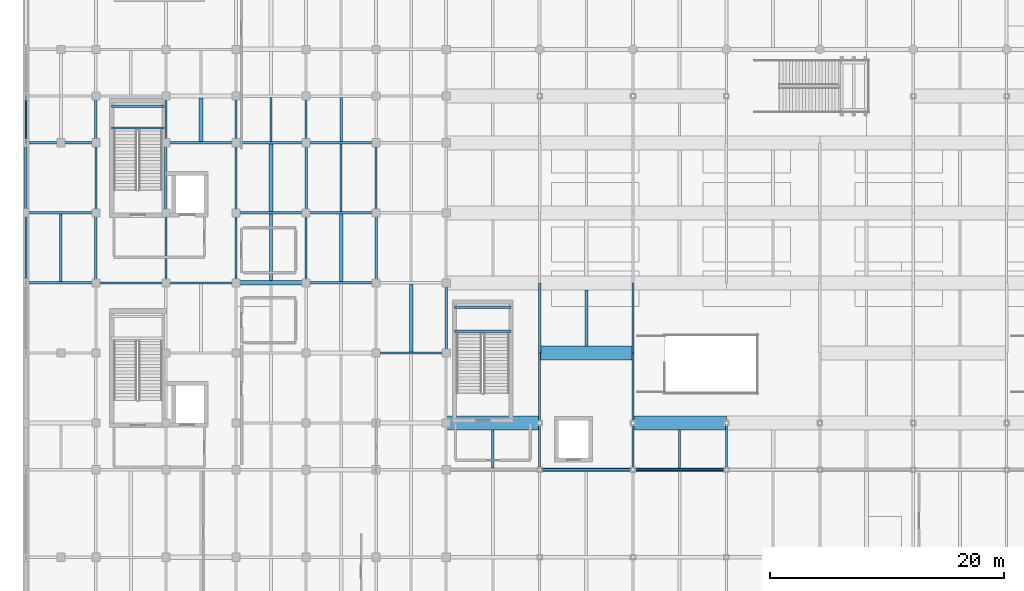
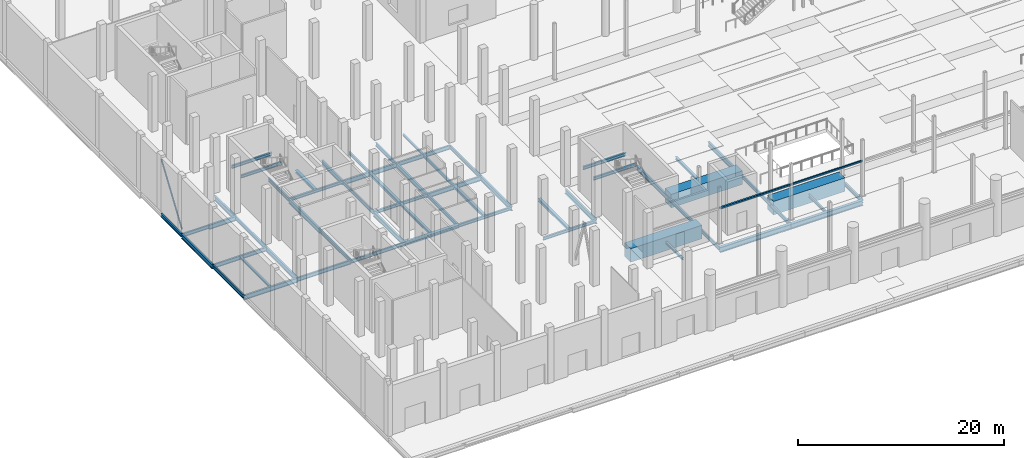
# One storey, part 22 of 140: 62 beams, 1 member.
"""IFC4 building model written with IfcOpenShell, lengths in metres."""

import ifcopenshell
import ifcopenshell.guid

model = None  # the IFC model being written
_history = None  # IfcOwnerHistory: only IFC2X3 demands one
_inside = {}  # id of a spatial element -> (the spatial element, [elements in it])
_under = {}  # id of a project, library or spatial element -> (it, [spatial elements below it])
_declared = {}  # id of a project -> (the project, [libraries it declares])
_typed = {}  # id of a type object -> (the type object, [elements of that type])
_made_of = {}  # id of a material, layer set ... -> (it, [elements and type objects made of it])


def new_model(schema):
    """Start an empty IFC model of exactly this schema.

    Asked for "IFC4X3", IfcOpenShell would pick the latest addendum, in which some entities
    have other attributes; the version numbers below select the first issue.
    IFC2X3 requires an IfcOwnerHistory on every rooted entity: one is made here for all.
    """
    global model, _history
    if schema == "IFC4X3":
        model = ifcopenshell.file(schema_version=(4, 3, 0, 0))
    else:
        model = ifcopenshell.file(schema=schema)
    _inside.clear()
    _under.clear()
    _declared.clear()
    _typed.clear()
    _made_of.clear()
    _history = None
    if model.schema == "IFC2X3":
        org = make("IfcOrganization", Name="unknown")
        user = make(
            "IfcPersonAndOrganization",
            ThePerson=make("IfcPerson", FamilyName="unknown"),
            TheOrganization=org,
        )
        app = make(
            "IfcApplication",
            ApplicationDeveloper=org,
            Version="unknown",
            ApplicationFullName="unknown",
            ApplicationIdentifier="unknown",
        )
        _history = make(
            "IfcOwnerHistory",
            OwningUser=user,
            OwningApplication=app,
            ChangeAction="ADDED",
            CreationDate=0,
        )
    return model


def make(cls, **values):
    """One entity of the class cls with the attributes given. An attribute that is None is left unset."""
    return model.create_entity(
        cls, **{name: value for name, value in values.items() if value is not None}
    )


def rooted(cls, **values):
    """An entity with a GlobalId (a new one), such as an element, a storey or a relation."""
    return make(cls, GlobalId=ifcopenshell.guid.new(), OwnerHistory=_history, **values)


def si_unit(unit_type, name, prefix=None):
    """IfcSIUnit, for example si_unit("LENGTHUNIT", "METRE", prefix="MILLI")."""
    return make("IfcSIUnit", UnitType=unit_type, Prefix=prefix, Name=name)


def assignment(units):
    """IfcUnitAssignment: the units of a project."""
    return None if units is None else make("IfcUnitAssignment", Units=units)


def point(xyz):
    """IfcCartesianPoint."""
    return None if xyz is None else make("IfcCartesianPoint", Coordinates=xyz)


def direction(xyz):
    """IfcDirection."""
    return None if xyz is None else make("IfcDirection", DirectionRatios=xyz)


def frame(location, z_axis=None, x_axis=None):
    """IfcAxis2Placement3D, a coordinate frame: its origin and axes. An axis left out is left unset."""
    return make(
        "IfcAxis2Placement3D",
        Location=point(location),
        Axis=direction(z_axis),
        RefDirection=direction(x_axis),
    )


def frame_2d(location, x_axis=None):
    """IfcAxis2Placement2D, a coordinate frame in the plane: its origin and x axis."""
    return make(
        "IfcAxis2Placement2D", Location=point(location), RefDirection=direction(x_axis)
    )


def origin():
    """The frame at (0, 0, 0) with its axes left unset."""
    return frame((0.0, 0.0, 0.0))


def origin_2d():
    """The frame at (0, 0) in the plane with its x axis left unset."""
    return frame_2d((0.0, 0.0))


def place(relative_to, where):
    """IfcLocalPlacement: puts the frame where relative to a parent placement (None: the world)."""
    return make(
        "IfcLocalPlacement", PlacementRelTo=relative_to, RelativePlacement=where
    )


def context(
    kind, dimensions, precision=None, world=None, true_north=None, identifier=None
):
    """IfcGeometricRepresentationContext, for example the 3D "Model" context."""
    return make(
        "IfcGeometricRepresentationContext",
        ContextIdentifier=identifier,
        ContextType=kind,
        CoordinateSpaceDimension=dimensions,
        Precision=precision,
        WorldCoordinateSystem=world,
        TrueNorth=true_north,
    )


def subcontext(parent, identifier, kind, view, scale=None):
    """IfcGeometricRepresentationSubContext, for example "Body" below "Model"."""
    return make(
        "IfcGeometricRepresentationSubContext",
        ContextIdentifier=identifier,
        ContextType=kind,
        ParentContext=parent,
        TargetScale=scale,
        TargetView=view,
    )


def project(units=None, contexts=None):
    """IfcProject with its units and contexts."""
    return rooted(
        "IfcProject",
        Name="project",
        RepresentationContexts=contexts,
        UnitsInContext=assignment(units),
    )


def spatial(cls, under=None, at=None, **own):
    """A site, building, storey or space (cls), placed at a placement, below another one or the project."""
    s = rooted(cls, ObjectPlacement=at, **own)
    if under is not None:
        _under.setdefault(under.id(), (under, []))[1].append(s)
    return s


def profile(cls, at=None, kind="AREA", **sizes):
    """A parametric profile (cls). Its sizes go by their IFC names, for example OverallWidth=200.0."""
    return make(cls, ProfileType=kind, Position=at, **sizes)


def rectangle(**sizes):
    """IfcRectangleProfileDef."""
    return profile("IfcRectangleProfileDef", **sizes)


def hollow_rectangle(**sizes):
    """IfcRectangleHollowProfileDef."""
    return profile("IfcRectangleHollowProfileDef", **sizes)


def hollow_circle(**sizes):
    """IfcCircleHollowProfileDef."""
    return profile("IfcCircleHollowProfileDef", **sizes)


def i_section(**sizes):
    """IfcIShapeProfileDef."""
    return profile("IfcIShapeProfileDef", **sizes)


def extrude(swept, where, along, depth):
    """IfcExtrudedAreaSolid: the profile swept, set in the frame where, extruded along a direction by depth."""
    return make(
        "IfcExtrudedAreaSolid",
        SweptArea=swept,
        Position=where,
        ExtrudedDirection=direction(along),
        Depth=depth,
    )


def shape(context_of_items, identifier, shape_type, items):
    """IfcShapeRepresentation: the items that make up one representation, for example the "Body"."""
    return make(
        "IfcShapeRepresentation",
        ContextOfItems=context_of_items,
        RepresentationIdentifier=identifier,
        RepresentationType=shape_type,
        Items=items,
    )


def material(Name=None, Category=None):
    """IfcMaterial."""
    return make("IfcMaterial", Name=Name, Category=Category)


def material_profile(
    of_material, cross_section, Name=None, Category=None, Priority=None
):
    """IfcMaterialProfile: a cross section and its material."""
    return make(
        "IfcMaterialProfile",
        Name=Name,
        Material=of_material,
        Profile=cross_section,
        Priority=Priority,
        Category=Category,
    )


def profile_set(profiles, Name=None, composite=None):
    """IfcMaterialProfileSet."""
    return make(
        "IfcMaterialProfileSet",
        Name=Name,
        MaterialProfiles=profiles,
        CompositeProfile=composite,
    )


def made_of(thing, what):
    """Note that an element or type object is made of a material, layer set ...; save() writes the relation."""
    if what is not None:
        _made_of.setdefault(what.id(), (what, []))[1].append(thing)
    return thing


def type_object(cls, material=None, **own):
    """A type object (cls), such as IfcWallType, which elements share."""
    return made_of(rooted(cls, **own), material)


def element(
    cls,
    number,
    at=None,
    inside=None,
    cuts=None,
    type_object=None,
    material=None,
    context=None,
    identifier="Body",
    shape_type=None,
    held_by="IfcProductDefinitionShape",
    body=None,
    shapes=None,
    **own,
):
    """One element of the class cls, such as IfcWall. Its Tag is "e" and its number.

    at: its placement. inside: the storey or other place that contains it. cuts: it is an
    opening in that element (IfcRelVoidsElement). A single representation is given by context,
    identifier, shape_type and body (its items); several are given by shapes. held_by: the class
    of the entity that holds the representations. save() writes the other relations.
    """
    e = rooted(cls, Tag="e%d" % number, ObjectPlacement=at, **own)
    if body is not None:
        shapes = [shape(context, identifier, shape_type, body)]
    if shapes is not None:
        e.Representation = make(held_by, Representations=shapes)
    if inside is not None:
        _inside.setdefault(inside.id(), (inside, []))[1].append(e)
    if cuts is not None:
        rooted(
            "IfcRelVoidsElement", RelatingBuildingElement=cuts, RelatedOpeningElement=e
        )
    if type_object is not None:
        _typed.setdefault(type_object.id(), (type_object, []))[1].append(e)
    return made_of(e, material)


def aggregate(whole, parts):
    """IfcRelAggregates: a whole, such as a stair, and the parts it consists of."""
    return rooted("IfcRelAggregates", RelatingObject=whole, RelatedObjects=parts)


def save(model, path):
    """Write the relations noted so far, then the file.

    IfcRelAggregates (storeys below a building ...), IfcRelContainedInSpatialStructure (elements
    in a storey), IfcRelDefinesByType, IfcRelAssociatesMaterial and IfcRelDeclares: one each for
    every whole, place, type object, material and project.
    """
    for whole, parts in _under.values():
        aggregate(whole, parts)
    for where, things in _inside.values():
        rooted(
            "IfcRelContainedInSpatialStructure",
            RelatedElements=things,
            RelatingStructure=where,
        )
    for kind, things in _typed.values():
        rooted("IfcRelDefinesByType", RelatedObjects=things, RelatingType=kind)
    for what, things in _made_of.values():
        rooted("IfcRelAssociatesMaterial", RelatedObjects=things, RelatingMaterial=what)
    for by, libraries in _declared.values():
        rooted("IfcRelDeclares", RelatingContext=by, RelatedDefinitions=libraries)
    model.write(path)


model = new_model("IFC4")

# Units and contexts
model_context = context("Model", 3, precision=1e-05, world=origin(), true_north=direction((0.0, 1.0)))
body_context = subcontext(model_context, "Body", "Model", "MODEL_VIEW")
ifc_project = project(units=[si_unit("LENGTHUNIT", "METRE"), si_unit("AREAUNIT", "SQUARE_METRE"), si_unit("VOLUMEUNIT", "CUBIC_METRE"), si_unit("PLANEANGLEUNIT", "RADIAN"), si_unit("MASSUNIT", "GRAM", prefix="KILO")], contexts=[model_context])

# Site, building, storey
site_placement = place(None, origin())
site = spatial("IfcSite", under=ifc_project, at=site_placement, CompositionType="ELEMENT")
building_placement = place(site_placement, origin())
building = spatial("IfcBuilding", under=site, at=building_placement, Name="Verrall Gate Interchange", CompositionType="ELEMENT")
storey_placement = place(building_placement, origin())
storey = spatial("IfcBuildingStorey", under=building, at=storey_placement, Name="L01", CompositionType="ELEMENT", Elevation=0.0)

# Beams
ifc_material_1 = material(Name="Structural Steel CSA G40.21 350WT Cat 4", Category="steel")
ifc_material_profile_1 = material_profile(ifc_material_1, i_section(OverallWidth=0.323974609375, OverallDepth=0.611083984375, WebThickness=0.0126953125, FlangeThickness=0.01904296875, FilletRadius=0.014892578125, at=origin_2d()), Name="W610x155")
ifc_profile_set_1 = profile_set([ifc_material_profile_1], Name="Structural Steel CSA G40.21 350WT Cat 4")
beam_type_1 = type_object("IfcBeamType", Name="B-08 Structural Beam W610x155", PredefinedType="BEAM", material=ifc_profile_set_1)
for number, where, z_axis, x_axis, name in (
    (1, (44.0, 12.0, -0.805419921875), (1.0, 0.0, 0.0), (0.0, 1.0, 0.0), "L01 Girder BM-L01-0771 (B-08)"),
    (2, (52.0, 12.0, -0.805419921875), (1.0, 0.0, 0.0), (0.0, 1.0, 0.0), "L01 Girder BM-L01-0772 (B-08)"),
):
    element("IfcBeam", number, at=place(storey_placement, frame(where, z_axis=z_axis, x_axis=x_axis)), inside=storey, type_object=beam_type_1, Name=name, PredefinedType="BEAM", context=body_context, shape_type="SweptSolid", body=[
        extrude(i_section(OverallWidth=0.323974609375, OverallDepth=0.611083984375, WebThickness=0.0126953125, FlangeThickness=0.01904296875, FilletRadius=0.014892578125, at=origin_2d()), origin(), (0.0, 0.0, 1.0), 8.0),
    ])
ifc_material_2 = material(Name="Structural Steel CSA G40.21 350W", Category="steel")
ifc_material_profile_2 = material_profile(ifc_material_2, i_section(OverallWidth=0.2109375, OverallDepth=0.5390625, WebThickness=0.01171875, FlangeThickness=0.018798828125, FilletRadius=0.013916015625, at=origin_2d()), Name="W530x109")
ifc_profile_set_2 = profile_set([ifc_material_profile_2], Name="Structural Steel CSA G40.21 350W")
beam_type_2 = type_object("IfcBeamType", Name="B-10 Structural Beam W530x109", PredefinedType="BEAM", material=ifc_profile_set_2)
for number, where, z_axis, x_axis, name in (
    (3, (0.0, 28.0, -0.76953125), (1.0, 0.0, 0.0), (0.0, 1.0, 0.0), "L01 Girder BM-L01-0825 (B-10)"),
    (4, (24.0, 34.0, -0.76953125), (1.0, 0.0, 0.0), (0.0, 1.0, 0.0), "L01 Girder BM-L01-0849 (B-10)"),
):
    element("IfcBeam", number, at=place(storey_placement, frame(where, z_axis=z_axis, x_axis=x_axis)), inside=storey, type_object=beam_type_2, Name=name, PredefinedType="BEAM", context=body_context, shape_type="SweptSolid", body=[
        extrude(i_section(OverallWidth=0.2109375, OverallDepth=0.5390625, WebThickness=0.01171875, FlangeThickness=0.018798828125, FilletRadius=0.013916015625, at=origin_2d()), origin(), (0.0, 0.0, 1.0), 6.0),
    ])
beam_1_placement = place(storey_placement, frame((3.0, 40.0, -0.76953125), z_axis=(1.0, 0.0, 0.0), x_axis=(0.0, 1.0, 0.0)))
element("IfcBeam", 5, at=beam_1_placement, inside=storey, type_object=beam_type_2, Name="L01 Girder BM-L01-0868 (B-10)", PredefinedType="BEAM", context=body_context, shape_type="SweptSolid", body=[
    extrude(i_section(OverallWidth=0.2109375, OverallDepth=0.5390625, WebThickness=0.01171875, FlangeThickness=0.018798828125, FilletRadius=0.013916015625, at=origin_2d()), origin(), (0.0, 0.0, 1.0), 3.0),
])
for number, where, z_axis, x_axis, name in (
    (6, (18.0, 40.0, -0.76953125), (1.0, 0.0, 0.0), (0.0, 1.0, 0.0), "L01 Girder BM-L01-0870 (B-10)"),
    (7, (0.0, 34.0, -0.76953125), (0.0, 1.0, 0.0), (-1.0, 0.0, 0.0), "L01 Girder BM-L01-0987 (B-10)"),
    (8, (6.0, 28.0, -0.76953125), (0.0, 1.0, 0.0), (-1.0, 0.0, 0.0), "L01 Girder BM-L01-1002 (B-10)"),
):
    element("IfcBeam", number, at=place(storey_placement, frame(where, z_axis=z_axis, x_axis=x_axis)), inside=storey, type_object=beam_type_2, Name=name, PredefinedType="BEAM", context=body_context, shape_type="SweptSolid", body=[
        extrude(i_section(OverallWidth=0.2109375, OverallDepth=0.5390625, WebThickness=0.01171875, FlangeThickness=0.018798828125, FilletRadius=0.013916015625, at=origin_2d()), origin(), (0.0, 0.0, 1.0), 6.0),
    ])
beam_2_placement = place(storey_placement, frame((6.0, 40.0, -0.76953125), z_axis=(0.0, 1.0, 0.0), x_axis=(-1.0, 0.0, 0.0)))
element("IfcBeam", 9, at=beam_2_placement, inside=storey, type_object=beam_type_2, Name="L01 Girder BM-L01-1004 (B-10)", PredefinedType="BEAM", context=body_context, shape_type="SweptSolid", body=[
    extrude(i_section(OverallWidth=0.2109375, OverallDepth=0.5390625, WebThickness=0.01171875, FlangeThickness=0.018798828125, FilletRadius=0.013916015625, at=origin_2d()), origin(), (0.0, 0.0, 1.0), 4.0),
])
for number, where, z_axis, x_axis, name in (
    (10, (12.0, 34.0, -0.76953125), (0.0, 1.0, 0.0), (-1.0, 0.0, 0.0), "L01 Girder BM-L01-1018 (B-10)"),
    (11, (18.0, 28.0, -0.76953125), (0.0, 1.0, 0.0), (-1.0, 0.0, 0.0), "L01 Girder BM-L01-1032 (B-10)"),
):
    element("IfcBeam", number, at=place(storey_placement, frame(where, z_axis=z_axis, x_axis=x_axis)), inside=storey, type_object=beam_type_2, Name=name, PredefinedType="BEAM", context=body_context, shape_type="SweptSolid", body=[
        extrude(i_section(OverallWidth=0.2109375, OverallDepth=0.5390625, WebThickness=0.01171875, FlangeThickness=0.018798828125, FilletRadius=0.013916015625, at=origin_2d()), origin(), (0.0, 0.0, 1.0), 6.0),
    ])
beam_3_placement = place(storey_placement, frame((18.0, 40.0, -0.76953125), z_axis=(0.0, 1.0, 0.0), x_axis=(-1.0, 0.0, 0.0)))
element("IfcBeam", 12, at=beam_3_placement, inside=storey, type_object=beam_type_2, Name="L01 Girder BM-L01-1034 (B-10)", PredefinedType="BEAM", context=body_context, shape_type="SweptSolid", body=[
    extrude(i_section(OverallWidth=0.2109375, OverallDepth=0.5390625, WebThickness=0.01171875, FlangeThickness=0.018798828125, FilletRadius=0.013916015625, at=origin_2d()), origin(), (0.0, 0.0, 1.0), 4.0),
])
for number, where, z_axis, x_axis, name in (
    (13, (24.0, 34.0, -0.76953125), (0.0, 1.0, 0.0), (-1.0, 0.0, 0.0), "L01 Girder BM-L01-1048 (B-10)"),
    (14, (30.0, 28.0, -0.76953125), (0.0, 1.0, 0.0), (-1.0, 0.0, 0.0), "L01 Girder BM-L01-1062 (B-10)"),
    (15, (36.0, 22.0, -0.76953125), (0.0, 1.0, 0.0), (-1.0, 0.0, 0.0), "L01 Girder BM-L01-1076 (B-10)"),
    (16, (44.0, 22.0, -0.76953125), (0.0, 1.0, 0.0), (-1.0, 0.0, 0.0), "L01 Girder BM-L01-1091 (B-10)"),
    (17, (52.0, 22.0, -0.76953125), (0.0, 1.0, 0.0), (-1.0, 0.0, 0.0), "L01 Girder BM-L01-1102 (B-10)"),
):
    element("IfcBeam", number, at=place(storey_placement, frame(where, z_axis=z_axis, x_axis=x_axis)), inside=storey, type_object=beam_type_2, Name=name, PredefinedType="BEAM", context=body_context, shape_type="SweptSolid", body=[
        extrude(i_section(OverallWidth=0.2109375, OverallDepth=0.5390625, WebThickness=0.01171875, FlangeThickness=0.018798828125, FilletRadius=0.013916015625, at=origin_2d()), origin(), (0.0, 0.0, 1.0), 6.0),
    ])
ifc_material_3 = material(Name="Structural Steel CSA G40.21 350W", Category="steel")
ifc_material_profile_3 = material_profile(ifc_material_3, i_section(OverallWidth=0.19189453125, OverallDepth=0.462890625, WebThickness=0.010498046875, FlangeThickness=0.017578125, FilletRadius=0.012939453125, at=origin_2d()), Name="W460x89")
ifc_profile_set_3 = profile_set([ifc_material_profile_3], Name="Structural Steel CSA G40.21 350W")
beam_type_3 = type_object("IfcBeamType", Name="B-11 Structural Beam W460x89", PredefinedType="BEAM", material=ifc_profile_set_3)
for number, where, z_axis, x_axis, name in (
    (18, (6.0, 28.0, -0.7314453125), (1.0, 0.0, 0.0), (0.0, 1.0, 0.0), "L01 Girder BM-L01-0826 (B-11)"),
    (19, (0.0, 34.0, -0.7314453125), (1.0, 0.0, 0.0), (0.0, 1.0, 0.0), "L01 Girder BM-L01-0847 (B-11)"),
    (20, (24.0, 40.0, -0.7314453125), (1.0, 0.0, 0.0), (0.0, 1.0, 0.0), "L01 Girder BM-L01-0871 (B-11)"),
):
    element("IfcBeam", number, at=place(storey_placement, frame(where, z_axis=z_axis, x_axis=x_axis)), inside=storey, type_object=beam_type_3, Name=name, PredefinedType="BEAM", context=body_context, shape_type="SweptSolid", body=[
        extrude(i_section(OverallWidth=0.19189453125, OverallDepth=0.462890625, WebThickness=0.010498046875, FlangeThickness=0.017578125, FilletRadius=0.012939453125, at=origin_2d()), origin(), (0.0, 0.0, 1.0), 6.0),
    ])
ifc_material_4 = material(Name="Structural Steel CSA G40.21 350W", Category="steel")
ifc_material_profile_4 = material_profile(ifc_material_4, i_section(OverallWidth=0.178955078125, OverallDepth=0.409912109375, WebThickness=0.0087890625, FlangeThickness=0.014404296875, FilletRadius=0.011962890625, at=origin_2d()), Name="W410x67")
ifc_profile_set_4 = profile_set([ifc_material_profile_4], Name="Structural Steel CSA G40.21 350W")
beam_type_4 = type_object("IfcBeamType", Name="B-12 Structural Beam W410x67", PredefinedType="BEAM", material=ifc_profile_set_4)
beam_4_placement = place(storey_placement, frame((12.0, 28.0, -0.705078125), z_axis=(1.0, 0.0, 0.0), x_axis=(0.0, 1.0, 0.0)))
element("IfcBeam", 21, at=beam_4_placement, inside=storey, type_object=beam_type_4, Name="L01 Girder BM-L01-0827 (B-12)", PredefinedType="BEAM", context=body_context, shape_type="SweptSolid", body=[
    extrude(i_section(OverallWidth=0.178955078125, OverallDepth=0.409912109375, WebThickness=0.0087890625, FlangeThickness=0.014404296875, FilletRadius=0.011962890625, at=origin_2d()), origin(), (0.0, 0.0, 1.0), 6.0),
])
beam_5_placement = place(storey_placement, frame((0.0, 40.0, -0.705078125), z_axis=(1.0, 0.0, 0.0), x_axis=(0.0, 1.0, 0.0)))
element("IfcBeam", 22, at=beam_5_placement, inside=storey, type_object=beam_type_4, Name="L01 Girder BM-L01-0867 (B-12)", PredefinedType="BEAM", context=body_context, shape_type="SweptSolid", body=[
    extrude(i_section(OverallWidth=0.178955078125, OverallDepth=0.409912109375, WebThickness=0.0087890625, FlangeThickness=0.014404296875, FilletRadius=0.011962890625, at=origin_2d()), origin(), (0.0, 0.0, 1.0), 3.0),
])
beam_6_placement = place(storey_placement, frame((0.0, 28.0, -0.705078125), z_axis=(0.0, 1.0, 0.0), x_axis=(-1.0, 0.0, 0.0)))
element("IfcBeam", 23, at=beam_6_placement, inside=storey, type_object=beam_type_4, Name="L01 Girder BM-L01-0986 (B-12)", PredefinedType="BEAM", context=body_context, shape_type="SweptSolid", body=[
    extrude(i_section(OverallWidth=0.178955078125, OverallDepth=0.409912109375, WebThickness=0.0087890625, FlangeThickness=0.014404296875, FilletRadius=0.011962890625, at=origin_2d()), origin(), (0.0, 0.0, 1.0), 6.0),
])
beam_7_placement = place(storey_placement, frame((0.0, 40.0, -0.705078125), z_axis=(0.0, 1.0, 0.0), x_axis=(-1.0, 0.0, 0.0)))
element("IfcBeam", 24, at=beam_7_placement, inside=storey, type_object=beam_type_4, Name="L01 Girder BM-L01-0988 (B-12)", PredefinedType="BEAM", context=body_context, shape_type="SweptSolid", body=[
    extrude(i_section(OverallWidth=0.178955078125, OverallDepth=0.409912109375, WebThickness=0.0087890625, FlangeThickness=0.014404296875, FilletRadius=0.011962890625, at=origin_2d()), origin(), (0.0, 0.0, 1.0), 4.0),
])
for number, where, z_axis, x_axis, name in (
    (25, (6.0, 34.0, -0.705078125), (0.0, 1.0, 0.0), (-1.0, 0.0, 0.0), "L01 Girder BM-L01-1003 (B-12)"),
    (26, (12.0, 28.0, -0.705078125), (0.0, 1.0, 0.0), (-1.0, 0.0, 0.0), "L01 Girder BM-L01-1017 (B-12)"),
):
    element("IfcBeam", number, at=place(storey_placement, frame(where, z_axis=z_axis, x_axis=x_axis)), inside=storey, type_object=beam_type_4, Name=name, PredefinedType="BEAM", context=body_context, shape_type="SweptSolid", body=[
        extrude(i_section(OverallWidth=0.178955078125, OverallDepth=0.409912109375, WebThickness=0.0087890625, FlangeThickness=0.014404296875, FilletRadius=0.011962890625, at=origin_2d()), origin(), (0.0, 0.0, 1.0), 6.0),
    ])
beam_8_placement = place(storey_placement, frame((12.0, 40.0, -0.705078125), z_axis=(0.0, 1.0, 0.0), x_axis=(-1.0, 0.0, 0.0)))
element("IfcBeam", 27, at=beam_8_placement, inside=storey, type_object=beam_type_4, Name="L01 Girder BM-L01-1019 (B-12)", PredefinedType="BEAM", context=body_context, shape_type="SweptSolid", body=[
    extrude(i_section(OverallWidth=0.178955078125, OverallDepth=0.409912109375, WebThickness=0.0087890625, FlangeThickness=0.014404296875, FilletRadius=0.011962890625, at=origin_2d()), origin(), (0.0, 0.0, 1.0), 4.0),
])
for number, where, z_axis, x_axis, name in (
    (28, (18.0, 34.0, -0.705078125), (0.0, 1.0, 0.0), (-1.0, 0.0, 0.0), "L01 Girder BM-L01-1033 (B-12)"),
    (29, (24.0, 28.0, -0.705078125), (0.0, 1.0, 0.0), (-1.0, 0.0, 0.0), "L01 Girder BM-L01-1047 (B-12)"),
):
    element("IfcBeam", number, at=place(storey_placement, frame(where, z_axis=z_axis, x_axis=x_axis)), inside=storey, type_object=beam_type_4, Name=name, PredefinedType="BEAM", context=body_context, shape_type="SweptSolid", body=[
        extrude(i_section(OverallWidth=0.178955078125, OverallDepth=0.409912109375, WebThickness=0.0087890625, FlangeThickness=0.014404296875, FilletRadius=0.011962890625, at=origin_2d()), origin(), (0.0, 0.0, 1.0), 6.0),
    ])
beam_9_placement = place(storey_placement, frame((24.0, 40.0, -0.705078125), z_axis=(0.0, 1.0, 0.0), x_axis=(-1.0, 0.0, 0.0)))
element("IfcBeam", 30, at=beam_9_placement, inside=storey, type_object=beam_type_4, Name="L01 Girder BM-L01-1049 (B-12)", PredefinedType="BEAM", context=body_context, shape_type="SweptSolid", body=[
    extrude(i_section(OverallWidth=0.178955078125, OverallDepth=0.409912109375, WebThickness=0.0087890625, FlangeThickness=0.014404296875, FilletRadius=0.011962890625, at=origin_2d()), origin(), (0.0, 0.0, 1.0), 4.0),
])
beam_10_placement = place(storey_placement, frame((30.0, 34.0, -0.705078125), z_axis=(0.0, 1.0, 0.0), x_axis=(-1.0, 0.0, 0.0)))
element("IfcBeam", 31, at=beam_10_placement, inside=storey, type_object=beam_type_4, Name="L01 Girder BM-L01-1063 (B-12)", PredefinedType="BEAM", context=body_context, shape_type="SweptSolid", body=[
    extrude(i_section(OverallWidth=0.178955078125, OverallDepth=0.409912109375, WebThickness=0.0087890625, FlangeThickness=0.014404296875, FilletRadius=0.011962890625, at=origin_2d()), origin(), (0.0, 0.0, 1.0), 6.0),
])
beam_11_placement = place(storey_placement, frame((44.0, 12.0, -0.705078125), z_axis=(0.0, 1.0, 0.0), x_axis=(-1.0, 0.0, 0.0)))
element("IfcBeam", 32, at=beam_11_placement, inside=storey, type_object=beam_type_4, Name="L01 Girder BM-L01-1089 (B-12)", PredefinedType="BEAM", context=body_context, shape_type="SweptSolid", body=[
    extrude(i_section(OverallWidth=0.178955078125, OverallDepth=0.409912109375, WebThickness=0.0087890625, FlangeThickness=0.014404296875, FilletRadius=0.011962890625, at=origin_2d()), origin(), (0.0, 0.0, 1.0), 4.0),
])
beam_12_placement = place(storey_placement, frame((44.0, 16.0, -0.705078125), z_axis=(0.0, 1.0, 0.0), x_axis=(-1.0, 0.0, 0.0)))
element("IfcBeam", 33, at=beam_12_placement, inside=storey, type_object=beam_type_4, Name="L01 Girder BM-L01-1090 (B-12)", PredefinedType="BEAM", context=body_context, shape_type="SweptSolid", body=[
    extrude(i_section(OverallWidth=0.178955078125, OverallDepth=0.409912109375, WebThickness=0.0087890625, FlangeThickness=0.014404296875, FilletRadius=0.011962890625, at=origin_2d()), origin(), (0.0, 0.0, 1.0), 6.0),
])
beam_13_placement = place(storey_placement, frame((52.0, 12.0, -0.705078125), z_axis=(0.0, 1.0, 0.0), x_axis=(-1.0, 0.0, 0.0)))
element("IfcBeam", 34, at=beam_13_placement, inside=storey, type_object=beam_type_4, Name="L01 Girder BM-L01-1100 (B-12)", PredefinedType="BEAM", context=body_context, shape_type="SweptSolid", body=[
    extrude(i_section(OverallWidth=0.178955078125, OverallDepth=0.409912109375, WebThickness=0.0087890625, FlangeThickness=0.014404296875, FilletRadius=0.011962890625, at=origin_2d()), origin(), (0.0, 0.0, 1.0), 4.0),
])
beam_14_placement = place(storey_placement, frame((52.0, 16.0, -0.705078125), z_axis=(0.0, 1.0, 0.0), x_axis=(-1.0, 0.0, 0.0)))
element("IfcBeam", 35, at=beam_14_placement, inside=storey, type_object=beam_type_4, Name="L01 Girder BM-L01-1101 (B-12)", PredefinedType="BEAM", context=body_context, shape_type="SweptSolid", body=[
    extrude(i_section(OverallWidth=0.178955078125, OverallDepth=0.409912109375, WebThickness=0.0087890625, FlangeThickness=0.014404296875, FilletRadius=0.011962890625, at=origin_2d()), origin(), (0.0, 0.0, 1.0), 6.0),
])
beam_15_placement = place(storey_placement, frame((60.0, 12.0, -0.705078125), z_axis=(0.0, 1.0, 0.0), x_axis=(-1.0, 0.0, 0.0)))
element("IfcBeam", 36, at=beam_15_placement, inside=storey, type_object=beam_type_4, Name="L01 Girder BM-L01-1111 (B-12)", PredefinedType="BEAM", context=body_context, shape_type="SweptSolid", body=[
    extrude(i_section(OverallWidth=0.178955078125, OverallDepth=0.409912109375, WebThickness=0.0087890625, FlangeThickness=0.014404296875, FilletRadius=0.011962890625, at=origin_2d()), origin(), (0.0, 0.0, 1.0), 4.0),
])
ifc_material_5 = material(Name="Structural Steel CSA G40.21 350W", Category="steel")
ifc_material_profile_5 = material_profile(ifc_material_5, i_section(OverallWidth=0.368896484375, OverallDepth=0.35595703125, WebThickness=0.01123046875, FlangeThickness=0.01806640625, FilletRadius=0.014892578125, at=origin_2d()), Name="W360x134")
ifc_profile_set_5 = profile_set([ifc_material_profile_5], Name="Structural Steel CSA G40.21 350W")
beam_type_5 = type_object("IfcBeamType", Name="B-13 Structural Beam W360x134", PredefinedType="BEAM", material=ifc_profile_set_5)
beam_16_placement = place(storey_placement, frame((18.0, 28.0, -0.677978515625), z_axis=(1.0, 0.0, 0.0), x_axis=(0.0, 1.0, 0.0)))
element("IfcBeam", 37, at=beam_16_placement, inside=storey, type_object=beam_type_5, Name="L01 Girder BM-L01-0828 (B-13)", PredefinedType="BEAM", context=body_context, shape_type="SweptSolid", body=[
    extrude(i_section(OverallWidth=0.368896484375, OverallDepth=0.35595703125, WebThickness=0.01123046875, FlangeThickness=0.01806640625, FilletRadius=0.014892578125, at=origin_2d()), origin(), (0.0, 0.0, 1.0), 6.0),
])
ifc_material_6 = material(Name="Structural Steel CSA G40.21 350W", Category="steel")
ifc_material_profile_6 = material_profile(ifc_material_6, i_section(OverallWidth=0.205078125, OverallDepth=0.35400390625, WebThickness=0.009521484375, FlangeThickness=0.016845703125, FilletRadius=0.012939453125, at=origin_2d()), Name="W360x79")
ifc_profile_set_6 = profile_set([ifc_material_profile_6], Name="Structural Steel CSA G40.21 350W")
beam_type_6 = type_object("IfcBeamType", Name="B-14 Structural Beam W360x79", PredefinedType="BEAM", material=ifc_profile_set_6)
for number, where, z_axis, x_axis, name in (
    (38, (30.0, 22.0, -0.677001953125), (1.0, 0.0, 0.0), (0.0, 1.0, 0.0), "L01 Girder BM-L01-0813 (B-14)"),
    (39, (24.0, 28.0, -0.677001953125), (1.0, 0.0, 0.0), (0.0, 1.0, 0.0), "L01 Girder BM-L01-0829 (B-14)"),
    (40, (18.0, 34.0, -0.677001953125), (1.0, 0.0, 0.0), (0.0, 1.0, 0.0), "L01 Girder BM-L01-0848 (B-14)"),
    (41, (12.0, 40.0, -0.677001953125), (1.0, 0.0, 0.0), (0.0, 1.0, 0.0), "L01 Girder BM-L01-0869 (B-14)"),
):
    element("IfcBeam", number, at=place(storey_placement, frame(where, z_axis=z_axis, x_axis=x_axis)), inside=storey, type_object=beam_type_6, Name=name, PredefinedType="BEAM", context=body_context, shape_type="SweptSolid", body=[
        extrude(i_section(OverallWidth=0.205078125, OverallDepth=0.35400390625, WebThickness=0.009521484375, FlangeThickness=0.016845703125, FilletRadius=0.012939453125, at=origin_2d()), origin(), (0.0, 0.0, 1.0), 6.0),
    ])
for number, where, z_axis, x_axis, name in (
    (42, (7.35009765625, 41.27001953125, 2.929931640625), (1.0, 0.0, 0.0), (0.0, 1.0, 0.0), "L01 Core C2 Mid-Landing Beam 1"),
    (43, (7.35009765625, 43.1201171875, 2.929931640625), (1.0, 0.0, 0.0), (0.0, 1.0, 0.0), "L01 Core C2 Mid-Landing Beam 2"),
):
    element("IfcBeam", number, at=place(storey_placement, frame(where, z_axis=z_axis, x_axis=x_axis)), inside=storey, type_object=beam_type_6, Name=name, PredefinedType="BEAM", context=body_context, shape_type="SweptSolid", body=[
        extrude(i_section(OverallWidth=0.205078125, OverallDepth=0.35400390625, WebThickness=0.009521484375, FlangeThickness=0.016845703125, FilletRadius=0.012939453125, at=origin_2d()), origin(), (0.0, 0.0, 1.0), 4.5),
    ])
for number, where, z_axis, x_axis, name in (
    (44, (36.72998046875, 23.8701171875, 2.929931640625), (1.0, 0.0, 0.0), (0.0, 1.0, 0.0), "L01 Core C5 Mid-Landing Beam 1"),
    (45, (36.72998046875, 25.919921875, 2.929931640625), (1.0, 0.0, 0.0), (0.0, 1.0, 0.0), "L01 Core C5 Mid-Landing Beam 2"),
):
    element("IfcBeam", number, at=place(storey_placement, frame(where, z_axis=z_axis, x_axis=x_axis)), inside=storey, type_object=beam_type_6, Name=name, PredefinedType="BEAM", context=body_context, shape_type="SweptSolid", body=[
        extrude(i_section(OverallWidth=0.205078125, OverallDepth=0.35400390625, WebThickness=0.009521484375, FlangeThickness=0.016845703125, FilletRadius=0.012939453125, at=origin_2d()), origin(), (0.0, 0.0, 1.0), 4.840087890625),
    ])

# Member
ifc_material_7 = material(Name="Structural Steel CSA G40.21 350W", Category="steel")
ifc_material_profile_7 = material_profile(ifc_material_7, hollow_circle(Radius=0.084228515625, WallThickness=0.00634765625, at=origin_2d()), Name="HSS168x6.4")
ifc_profile_set_7 = profile_set([ifc_material_profile_7], Name="Structural Steel CSA G40.21 350W")
member_type = type_object("IfcMemberType", Name="BR-03 Diagonal Brace HSS168x6.4", PredefinedType="BRACE", material=ifc_profile_set_7)
member_placement = place(storey_placement, frame((0.0, 40.0, 0.0), z_axis=(0.0, 0.56311071105, 0.82638146585), x_axis=(-1.0, 0.0, 0.0)))
element("IfcMember", 46, at=member_placement, inside=storey, type_object=member_type, Name="Chevron Brace CBF3 L01 Leg A", PredefinedType="BRACE", context=body_context, shape_type="SweptSolid", body=[
    extrude(hollow_circle(Radius=0.084228515625, WallThickness=0.00634765625, at=origin_2d()), origin(), (0.0, 0.0, 1.0), 7.103515625),
])

# Beams
ifc_material_8 = material(Name="Structural Steel CSA G40.21 350W", Category="steel")
ifc_material_profile_8 = material_profile(ifc_material_8, i_section(OverallWidth=0.172119140625, OverallDepth=0.35791015625, WebThickness=0.0078125, FlangeThickness=0.01318359375, FilletRadius=0.010986328125, at=origin_2d()), Name="W360x57")
ifc_profile_set_8 = profile_set([ifc_material_profile_8], Name="Structural Steel CSA G40.21 350W")
beam_type_7 = type_object("IfcBeamType", Name="J-01 Floor Joist W360x57", PredefinedType="JOIST", material=ifc_profile_set_8)
beam_17_placement = place(storey_placement, frame((56.0, 12.162109375, -0.678955078125), z_axis=(0.0, 1.0, 0.0), x_axis=(-1.0, 0.0, 0.0)))
element("IfcBeam", 47, at=beam_17_placement, inside=storey, type_object=beam_type_7, Name="L01 Secondary Floor Joist JST-L01-1284", PredefinedType="JOIST", context=body_context, shape_type="SweptSolid", body=[
    extrude(i_section(OverallWidth=0.172119140625, OverallDepth=0.35791015625, WebThickness=0.0078125, FlangeThickness=0.01318359375, FilletRadius=0.010986328125, at=origin_2d()), origin(), (0.0, 0.0, 1.0), 3.23779296875),
])
beam_18_placement = place(storey_placement, frame((27.0, 34.10546875, -0.678955078125), z_axis=(0.0, 1.0, 0.0), x_axis=(-1.0, 0.0, 0.0)))
element("IfcBeam", 48, at=beam_18_placement, inside=storey, type_object=beam_type_7, Name="L01 Secondary Floor Joist JST-L01-1345", PredefinedType="JOIST", context=body_context, shape_type="SweptSolid", body=[
    extrude(i_section(OverallWidth=0.172119140625, OverallDepth=0.35791015625, WebThickness=0.0078125, FlangeThickness=0.01318359375, FilletRadius=0.010986328125, at=origin_2d()), origin(), (0.0, 0.0, 1.0), 5.798583984375),
])
beam_19_placement = place(storey_placement, frame((21.0, 40.10546875, -0.678955078125), z_axis=(0.0, 1.0, 0.0), x_axis=(-1.0, 0.0, 0.0)))
element("IfcBeam", 49, at=beam_19_placement, inside=storey, type_object=beam_type_7, Name="L01 Secondary Floor Joist JST-L01-1363", PredefinedType="JOIST", context=body_context, shape_type="SweptSolid", body=[
    extrude(i_section(OverallWidth=0.172119140625, OverallDepth=0.35791015625, WebThickness=0.0078125, FlangeThickness=0.01318359375, FilletRadius=0.010986328125, at=origin_2d()), origin(), (0.0, 0.0, 1.0), 3.7919921875),
])
ifc_material_9 = material(Name="Structural Steel CSA G40.21 350W", Category="steel")
ifc_material_profile_9 = material_profile(ifc_material_9, i_section(OverallWidth=0.306884765625, OverallDepth=0.31396484375, WebThickness=0.011962890625, FlangeThickness=0.018798828125, FilletRadius=0.013916015625, at=origin_2d()), Name="W310x118")
ifc_profile_set_9 = profile_set([ifc_material_profile_9], Name="Structural Steel CSA G40.21 350W")
beam_type_8 = type_object("IfcBeamType", Name="J-02 Floor Joist W310x118", PredefinedType="JOIST", material=ifc_profile_set_9)
for number, where, z_axis, x_axis, name in (
    (50, (33.0, 22.1025390625, -0.656982421875), (0.0, 1.0, 0.0), (-1.0, 0.0, 0.0), "L01 Secondary Floor Joist JST-L01-1314"),
    (51, (27.0, 28.1025390625, -0.656982421875), (0.0, 1.0, 0.0), (-1.0, 0.0, 0.0), "L01 Secondary Floor Joist JST-L01-1328"),
    (52, (21.0, 34.1025390625, -0.656982421875), (0.0, 1.0, 0.0), (-1.0, 0.0, 0.0), "L01 Secondary Floor Joist JST-L01-1344"),
):
    element("IfcBeam", number, at=place(storey_placement, frame(where, z_axis=z_axis, x_axis=x_axis)), inside=storey, type_object=beam_type_8, Name=name, PredefinedType="JOIST", context=body_context, shape_type="SweptSolid", body=[
        extrude(i_section(OverallWidth=0.306884765625, OverallDepth=0.31396484375, WebThickness=0.011962890625, FlangeThickness=0.018798828125, FilletRadius=0.013916015625, at=origin_2d()), origin(), (0.0, 0.0, 1.0), 5.7919921875),
    ])
beam_20_placement = place(storey_placement, frame((15.0, 40.1025390625, -0.656982421875), z_axis=(0.0, 1.0, 0.0), x_axis=(-1.0, 0.0, 0.0)))
element("IfcBeam", 53, at=beam_20_placement, inside=storey, type_object=beam_type_8, Name="L01 Secondary Floor Joist JST-L01-1362", PredefinedType="JOIST", context=body_context, shape_type="SweptSolid", body=[
    extrude(i_section(OverallWidth=0.306884765625, OverallDepth=0.31396484375, WebThickness=0.011962890625, FlangeThickness=0.018798828125, FilletRadius=0.013916015625, at=origin_2d()), origin(), (0.0, 0.0, 1.0), 3.712890625),
])
ifc_material_10 = material(Name="Structural Steel CSA G40.21 350W", Category="steel")
ifc_material_profile_10 = material_profile(ifc_material_10, i_section(OverallWidth=0.25390625, OverallDepth=0.305908203125, WebThickness=0.0087890625, FlangeThickness=0.0146484375, FilletRadius=0.012939453125, at=origin_2d()), Name="W310x79")
ifc_profile_set_10 = profile_set([ifc_material_profile_10], Name="Structural Steel CSA G40.21 350W")
beam_type_9 = type_object("IfcBeamType", Name="J-03 Floor Joist W310x79", PredefinedType="JOIST", material=ifc_profile_set_10)
beam_21_placement = place(storey_placement, frame((48.0, 22.60009765625, -0.653076171875), z_axis=(0.0, 1.0, 0.0), x_axis=(-1.0, 0.0, 0.0)))
element("IfcBeam", 54, at=beam_21_placement, inside=storey, type_object=beam_type_9, Name="L01 Secondary Floor Joist JST-L01-1315", PredefinedType="JOIST", context=body_context, shape_type="SweptSolid", body=[
    extrude(i_section(OverallWidth=0.25390625, OverallDepth=0.305908203125, WebThickness=0.0087890625, FlangeThickness=0.0146484375, FilletRadius=0.012939453125, at=origin_2d()), origin(), (0.0, 0.0, 1.0), 4.7998046875),
])
beam_22_placement = place(storey_placement, frame((21.0, 28.1845703125, -0.653076171875), z_axis=(0.0, 1.0, 0.0), x_axis=(-1.0, 0.0, 0.0)))
element("IfcBeam", 55, at=beam_22_placement, inside=storey, type_object=beam_type_9, Name="L01 Secondary Floor Joist JST-L01-1327", PredefinedType="JOIST", context=body_context, shape_type="SweptSolid", body=[
    extrude(i_section(OverallWidth=0.25390625, OverallDepth=0.305908203125, WebThickness=0.0087890625, FlangeThickness=0.0146484375, FilletRadius=0.012939453125, at=origin_2d()), origin(), (0.0, 0.0, 1.0), 5.712890625),
])
ifc_material_11 = material(Name="Structural Steel CSA G40.21 350W", Category="steel")
ifc_material_profile_11 = material_profile(ifc_material_11, i_section(OverallWidth=0.201904296875, OverallDepth=0.2470703125, WebThickness=0.00732421875, FlangeThickness=0.010986328125, FilletRadius=0.010986328125, at=origin_2d()), Name="W250x49")
ifc_profile_set_11 = profile_set([ifc_material_profile_11], Name="Structural Steel CSA G40.21 350W")
beam_type_10 = type_object("IfcBeamType", Name="J-06 Floor Joist W250x49", PredefinedType="JOIST", material=ifc_profile_set_11)
beam_23_placement = place(storey_placement, frame((40.0, 12.162109375, -0.62353515625), z_axis=(0.0, 1.0, 0.0), x_axis=(-1.0, 0.0, 0.0)))
element("IfcBeam", 56, at=beam_23_placement, inside=storey, type_object=beam_type_10, Name="L01 Secondary Floor Joist JST-L01-1283", PredefinedType="JOIST", context=body_context, shape_type="SweptSolid", body=[
    extrude(i_section(OverallWidth=0.201904296875, OverallDepth=0.2470703125, WebThickness=0.00732421875, FlangeThickness=0.010986328125, FilletRadius=0.010986328125, at=origin_2d()), origin(), (0.0, 0.0, 1.0), 3.23779296875),
])
beam_24_placement = place(storey_placement, frame((3.0, 28.10546875, -0.62353515625), z_axis=(0.0, 1.0, 0.0), x_axis=(-1.0, 0.0, 0.0)))
element("IfcBeam", 57, at=beam_24_placement, inside=storey, type_object=beam_type_10, Name="L01 Secondary Floor Joist JST-L01-1326", PredefinedType="JOIST", context=body_context, shape_type="SweptSolid", body=[
    extrude(i_section(OverallWidth=0.201904296875, OverallDepth=0.2470703125, WebThickness=0.00732421875, FlangeThickness=0.010986328125, FilletRadius=0.010986328125, at=origin_2d()), origin(), (0.0, 0.0, 1.0), 5.798583984375),
])
ifc_material_12 = material(Name="Structural Steel CSA G40.21 350W", Category="steel")
ifc_material_profile_12 = material_profile(ifc_material_12, i_section(OverallWidth=0.202880859375, OverallDepth=0.202880859375, WebThickness=0.007080078125, FlangeThickness=0.010986328125, FilletRadius=0.010009765625, at=origin_2d()), Name="W200x46")
ifc_profile_set_12 = profile_set([ifc_material_profile_12], Name="Structural Steel CSA G40.21 350W")
beam_type_11 = type_object("IfcBeamType", Name="J-07 Floor Joist W200x46", PredefinedType="JOIST", material=ifc_profile_set_12)
beam_25_placement = place(storey_placement, frame((27.0, 40.095947265625, -0.6015625), z_axis=(0.0, 1.0, 0.0), x_axis=(-1.0, 0.0, 0.0)))
element("IfcBeam", 58, at=beam_25_placement, inside=storey, type_object=beam_type_11, Name="L01 Secondary Floor Joist JST-L01-1364", PredefinedType="JOIST", context=body_context, shape_type="SweptSolid", body=[
    extrude(i_section(OverallWidth=0.202880859375, OverallDepth=0.202880859375, WebThickness=0.007080078125, FlangeThickness=0.010986328125, FilletRadius=0.010009765625, at=origin_2d()), origin(), (0.0, 0.0, 1.0), 3.798583984375),
])
ifc_material_13 = material(Name="Structural Steel CSA G40.21 350W", Category="steel")
ifc_material_profile_13 = material_profile(ifc_material_13, hollow_rectangle(XDim=0.152099609375, YDim=0.202880859375, WallThickness=0.008056640625, InnerFilletRadius=0.008056640625, OuterFilletRadius=0.015869140625, at=origin_2d()), Name="HSS203x152x8.0")
ifc_profile_set_13 = profile_set([ifc_material_profile_13], Name="Structural Steel CSA G40.21 350W")
beam_type_12 = type_object("IfcBeamType", Name="LN-02 Portal Lintel HSS203x152x8.0", PredefinedType="LINTEL", material=ifc_profile_set_13)
beam_26_placement = place(storey_placement, frame((52.0, 12.0, 4.10009765625), z_axis=(1.0, 0.0, 0.0), x_axis=(0.0, 1.0, 0.0)))
element("IfcBeam", 59, at=beam_26_placement, inside=storey, type_object=beam_type_12, Name="Classical Portal Lintel 006", PredefinedType="LINTEL", context=body_context, shape_type="SweptSolid", body=[
    extrude(hollow_rectangle(XDim=0.152099609375, YDim=0.202880859375, WallThickness=0.008056640625, InnerFilletRadius=0.008056640625, OuterFilletRadius=0.015869140625, at=origin_2d()), origin(), (0.0, 0.0, 1.0), 8.0),
])
ifc_material_14 = material(Name="Structural Steel CSA G40.21 350W", Category="steel")
ifc_material_profile_14 = material_profile(ifc_material_14, hollow_rectangle(XDim=0.202880859375, YDim=0.202880859375, WallThickness=0.009521484375, InnerFilletRadius=0.009521484375, OuterFilletRadius=0.01904296875, at=origin_2d()), Name="HSS203x203x9.5")
ifc_profile_set_14 = profile_set([ifc_material_profile_14], Name="Structural Steel CSA G40.21 350W")
beam_type_13 = type_object("IfcBeamType", Name="LN-04 Portal Lintel HSS203x203x9.5", PredefinedType="LINTEL", material=ifc_profile_set_14)
beam_27_placement = place(storey_placement, frame((44.0, 12.0, 4.10009765625), z_axis=(1.0, 0.0, 0.0), x_axis=(0.0, 1.0, 0.0)))
element("IfcBeam", 60, at=beam_27_placement, inside=storey, type_object=beam_type_13, Name="Classical Portal Lintel 004", PredefinedType="LINTEL", context=body_context, shape_type="SweptSolid", body=[
    extrude(hollow_rectangle(XDim=0.202880859375, YDim=0.202880859375, WallThickness=0.009521484375, InnerFilletRadius=0.009521484375, OuterFilletRadius=0.01904296875, at=origin_2d()), origin(), (0.0, 0.0, 1.0), 8.0),
])
ifc_material_15 = material(Name="Concrete CSA A23.1 40 MPa (Class N)", Category="concrete")
ifc_material_profile_15 = material_profile(ifc_material_15, rectangle(XDim=1.199951171875, YDim=1.60009765625, at=origin_2d()), Name="RC1200x1600")
ifc_profile_set_15 = profile_set([ifc_material_profile_15], Name="Concrete CSA A23.1 40 MPa (Class N)")
beam_type_14 = type_object("IfcBeamType", Name="TG-01 Transfer Girder RC1200x1600", PredefinedType="USERDEFINED", material=ifc_profile_set_15)
for number, where, z_axis, x_axis, name in (
    (61, (36.0, 16.0, -0.800048828125), (1.0, 0.0, 0.0), (0.0, 1.0, 0.0), "L01 Girder BM-L01-0792 (TG-01)"),
    (62, (52.0, 16.0, -0.800048828125), (1.0, 0.0, 0.0), (0.0, 1.0, 0.0), "L01 Girder BM-L01-0793 (TG-01)"),
    (63, (44.0, 22.0, -0.800048828125), (1.0, 0.0, 0.0), (0.0, 1.0, 0.0), "L01 Girder BM-L01-0814 (TG-01)"),
):
    element("IfcBeam", number, at=place(storey_placement, frame(where, z_axis=z_axis, x_axis=x_axis)), inside=storey, type_object=beam_type_14, Name=name, ObjectType="TRANSFER_GIRDER", PredefinedType="USERDEFINED", context=body_context, shape_type="SweptSolid", body=[
        extrude(rectangle(XDim=1.199951171875, YDim=1.60009765625, at=origin_2d()), origin(), (0.0, 0.0, 1.0), 8.0),
    ])

save(model, "model.ifc")
